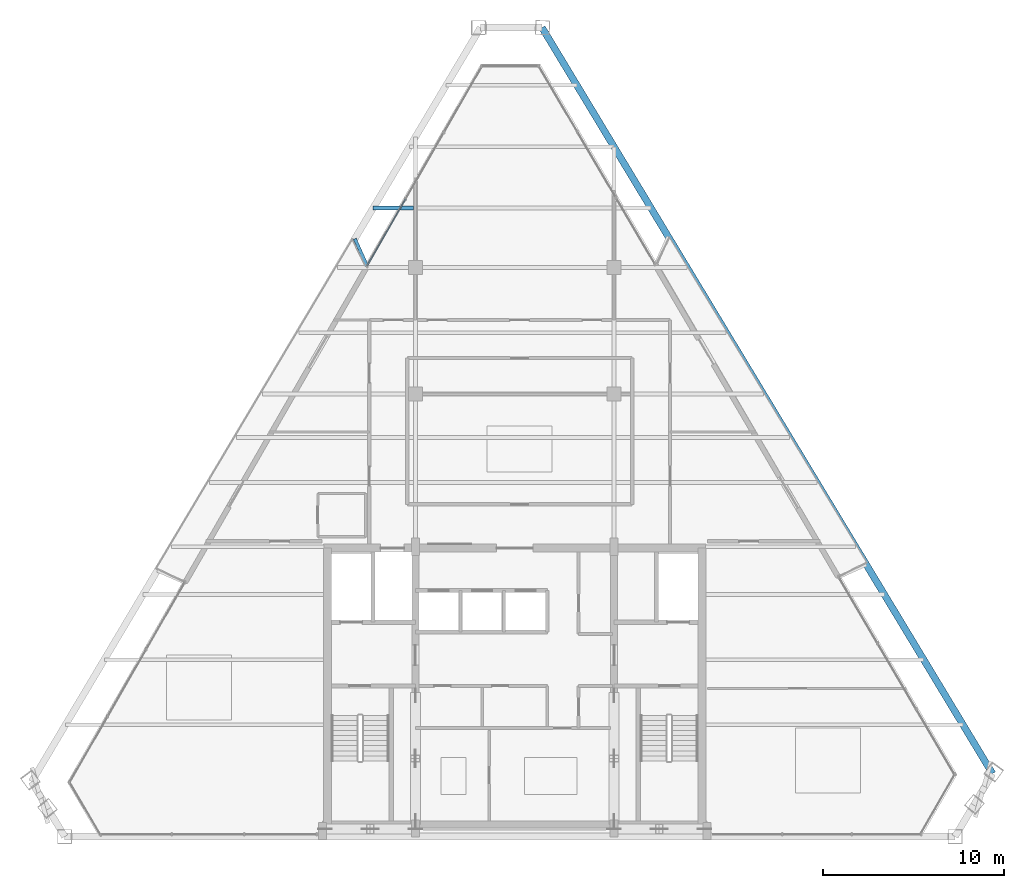
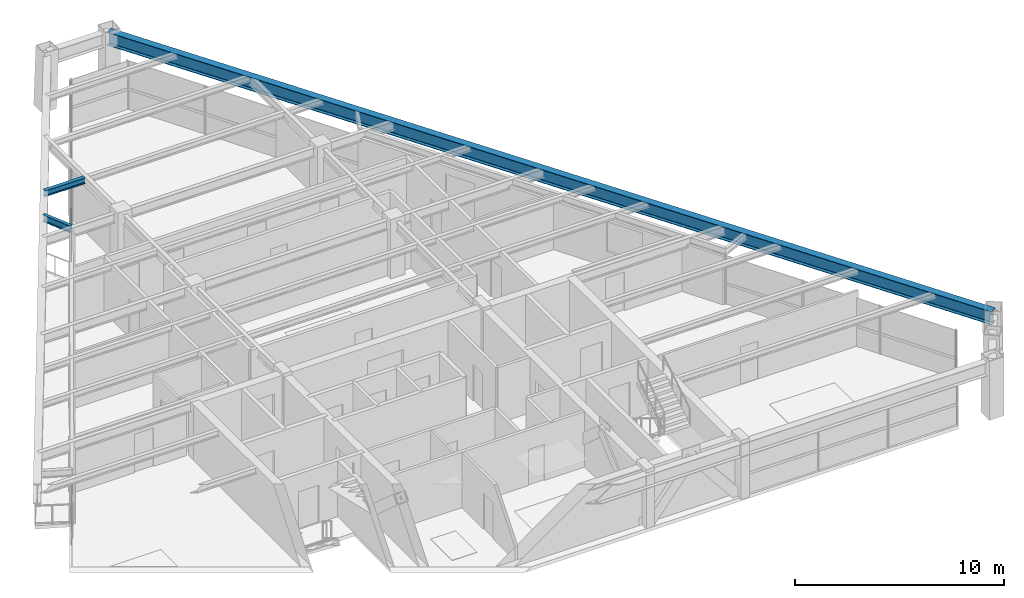
# One storey, part 6 of 13: 3 beams, 1 member, 1 element without a shape of its own.
"""IFC4 building model written with IfcOpenShell, lengths in metres."""

from ifc_helpers import new_model, si_unit, direction, frame, origin, origin_2d, place, context, subcontext, project, spatial, rectangle, i_section, extrude, source, transform, mapped, material, material_profile, profile_set, type_object, element, aggregate, save


model = new_model("IFC4")

# Units and contexts
model_context = context("Model", 3, precision=1e-05, world=origin(), true_north=direction((0.0, 1.0)))
body_context = subcontext(model_context, "Body", "Model", "MODEL_VIEW")
ifc_project = project(units=[si_unit("LENGTHUNIT", "METRE"), si_unit("AREAUNIT", "SQUARE_METRE"), si_unit("VOLUMEUNIT", "CUBIC_METRE"), si_unit("PLANEANGLEUNIT", "RADIAN"), si_unit("MASSUNIT", "GRAM", prefix="KILO")], contexts=[model_context])

# Site, building, storey
site_placement = place(None, origin())
site = spatial("IfcSite", under=ifc_project, at=site_placement, CompositionType="ELEMENT")
building_placement = place(site_placement, origin())
building = spatial("IfcBuilding", under=site, at=building_placement, Name="Varnakhor Terracotta Tower", CompositionType="ELEMENT")
storey_placement = place(building_placement, frame((0.0, 0.0, 283.35009765625)))
storey = spatial("IfcBuildingStorey", under=building, at=storey_placement, Name="L74", CompositionType="ELEMENT", Elevation=283.35009765625)

# Beams
ifc_material_1 = material(Name="Steel S355", Category="steel")
ifc_material_profile_1 = material_profile(ifc_material_1, i_section(OverallWidth=0.381103515625, OverallDepth=0.77294921875, WebThickness=0.01708984375, FlangeThickness=0.027099609375, FilletRadius=0.01806640625, at=origin_2d()), Name="W30X173")
ifc_profile_set_1 = profile_set([ifc_material_profile_1], Name="Steel S355")
beam_type_1 = type_object("IfcBeamType", Name="BM-W30X173", PredefinedType="BEAM", material=ifc_profile_set_1)
shared_shape_1 = source(origin(), body_context, "Body", "SweptSolid", [
    extrude(i_section(OverallWidth=0.381103515625, OverallDepth=0.77294921875, WebThickness=0.01708984375, FlangeThickness=0.027099609375, FilletRadius=0.01806640625, at=origin_2d()), origin(), (0.0, 0.0, 1.0), 48.2509765625),
])
beam_1_placement = place(storey_placement, frame((26.4521484375, 3.486083984375, 2.853515625), z_axis=(-0.516898623223, 0.856046618655, 0.0), x_axis=(-0.856046618655, -0.516898623223, 0.0)))
element("IfcBeam", 1, at=beam_1_placement, inside=storey, type_object=beam_type_1, Name="L74 Perimeter Spandrel 4", PredefinedType="BEAM", context=body_context, shape_type="MappedRepresentation", body=[
    mapped(shared_shape_1, transform((0.0, 0.0, 0.0), scale=1.0)),
])
ifc_material_profile_2 = material_profile(ifc_material_1, i_section(OverallWidth=0.202880859375, OverallDepth=0.346923828125, WebThickness=0.0078125, FlangeThickness=0.013427734375, FilletRadius=0.01806640625, at=origin_2d()), Name="W14X43")
ifc_profile_set_2 = profile_set([ifc_material_profile_2], Name="Steel S355")
beam_type_2 = type_object("IfcBeamType", Name="JST-W14X43", PredefinedType="JOIST", material=ifc_profile_set_2)
shared_shape_2 = source(origin(), body_context, "Body", "SweptSolid", [
    extrude(i_section(OverallWidth=0.202880859375, OverallDepth=0.346923828125, WebThickness=0.0078125, FlangeThickness=0.013427734375, FilletRadius=0.01806640625, at=origin_2d()), origin(), (0.0, 0.0, 1.0), 2.23779296875),
])
beam_2_placement = place(storey_placement, frame((-7.8408203125, 34.800048828125, 3.06640625), z_axis=(1.0, 0.0, 0.0), x_axis=(0.0, 1.0, 0.0)))
element("IfcBeam", 2, at=beam_2_placement, inside=storey, type_object=beam_type_2, Name="L74 Composite Floor Joist 7-1", PredefinedType="JOIST", context=body_context, shape_type="MappedRepresentation", body=[
    mapped(shared_shape_2, transform((0.0, 0.0, 0.0), scale=1.0)),
])
ifc_material_profile_3 = material_profile(ifc_material_1, i_section(OverallWidth=0.179931640625, OverallDepth=0.39990234375, WebThickness=0.008544921875, FlangeThickness=0.013427734375, FilletRadius=0.01806640625, at=origin_2d()), Name="IPE400")
ifc_profile_set_3 = profile_set([ifc_material_profile_3], Name="Steel S355")
beam_type_3 = type_object("IfcBeamType", Name="JST-IPE400", PredefinedType="JOIST", material=ifc_profile_set_3)
shared_shape_3 = source(origin(), body_context, "Body", "SweptSolid", [
    extrude(i_section(OverallWidth=0.179931640625, OverallDepth=0.39990234375, WebThickness=0.008544921875, FlangeThickness=0.013427734375, FilletRadius=0.01806640625, at=origin_2d()), origin(), (0.0, 0.0, 1.0), 1.63818359375),
])
beam_3_placement = place(storey_placement, frame((-8.181396484375, 31.605712890625, 3.039794921875), z_axis=(-0.409813124414, 0.912169503469, 0.0), x_axis=(-0.912169503469, -0.409813124414, 0.0)))
element("IfcBeam", 3, at=beam_3_placement, inside=storey, type_object=beam_type_3, Name="L75 W Loggia Tie Beam 2", PredefinedType="JOIST", context=body_context, shape_type="MappedRepresentation", body=[
    mapped(shared_shape_3, transform((0.0, 0.0, 0.0), scale=1.0)),
])

# Curtain wall, member
ifc_material_2 = material(Name="Anodised Aluminium Curtain Wall System", Category="aluminium")
curtain_wall_type = type_object("IfcCurtainWallType", Name="CW-SYS-HOTEL-LOGGIA", PredefinedType="NOTDEFINED", material=ifc_material_2)
curtain_wall_placement = place(storey_placement, origin())
curtain_wall = element("IfcCurtainWall", 4, at=curtain_wall_placement, inside=storey, type_object=curtain_wall_type, Name="L74 W Facet Curtain Wall 2", PredefinedType="NOTDEFINED")
ifc_material_3 = material(Name="Anodised Aluminium 6063-T6", Category="aluminium")
ifc_material_profile_4 = material_profile(ifc_material_3, rectangle(XDim=0.06494140625, YDim=0.14501953125, at=origin_2d()), Name="ALU TRANSOM 65x145")
ifc_profile_set_4 = profile_set([ifc_material_profile_4], Name="Anodised Aluminium 6063-T6")
member_type = type_object("IfcMemberType", Name="CWT-04", PredefinedType="USERDEFINED", material=ifc_profile_set_4)
shared_shape_4 = source(origin(), body_context, "Body", "SweptSolid", [
    extrude(rectangle(XDim=0.06494140625, YDim=0.14501953125, at=origin_2d()), origin(), (0.0, 0.0, 1.0), 4.2626953125),
])
member_placement = place(storey_placement, frame((-8.171630859375, 31.6044921875, 1.184326171875), z_axis=(0.499016581823, 0.866592436539, 0.0), x_axis=(-0.866592436539, 0.499016581823, 0.0)))
member = element("IfcMember", 5, at=member_placement, type_object=member_type, Name="L74 W Facet Curtain Wall 2 Transom 1", ObjectType="TRANSOM", PredefinedType="USERDEFINED", context=body_context, shape_type="MappedRepresentation", body=[
    mapped(shared_shape_4, transform((0.0, 0.0, 0.0), scale=1.0)),
])
aggregate(curtain_wall, [member])

save(model, "model.ifc")
